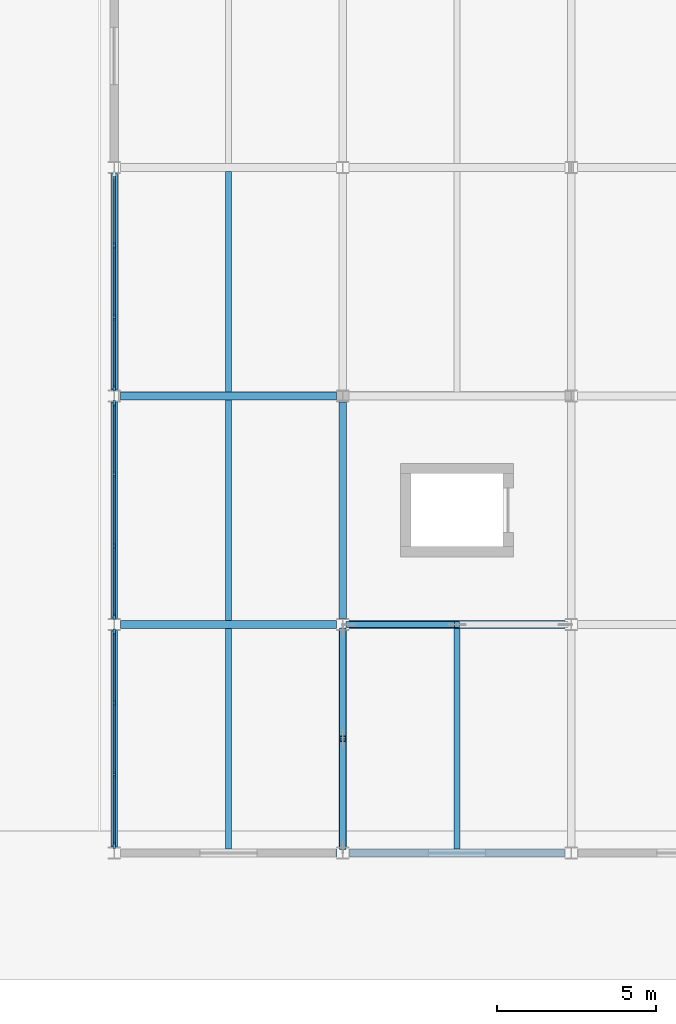
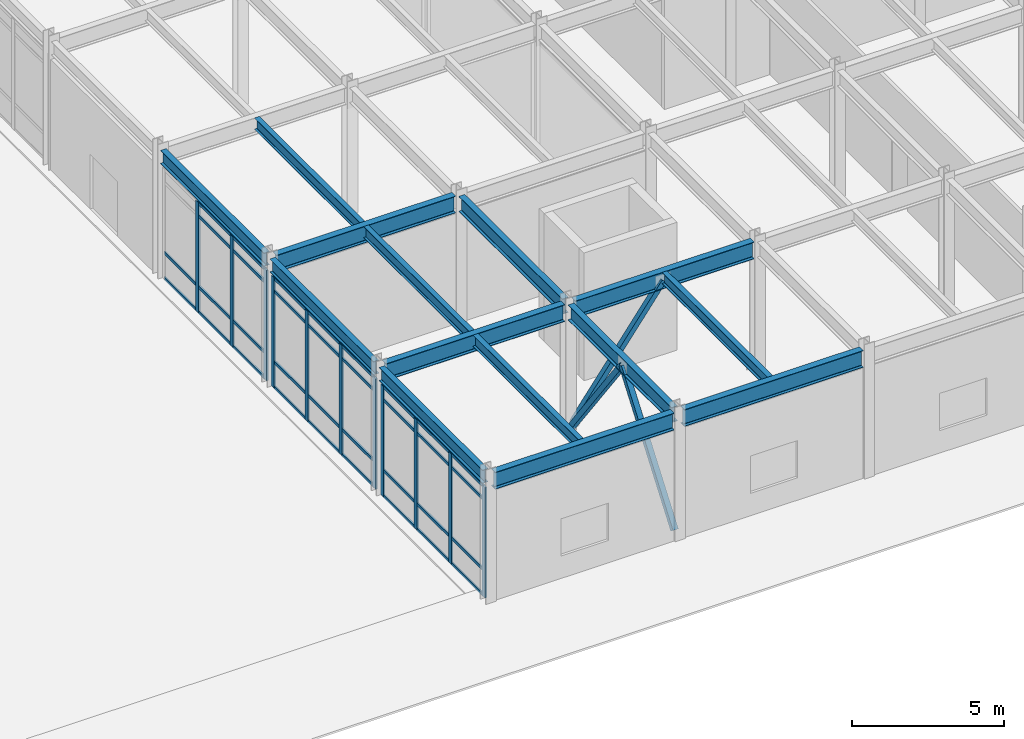
# One storey, part 41 of 104: 48 members, 14 beams, 3 elements without a shape of their own.
"""IFC4 building model written with IfcOpenShell, lengths in metres."""

from ifc_helpers import new_model, si_unit, direction, frame, origin, origin_2d, place, context, subcontext, project, spatial, rectangle, hollow_rectangle, i_section, extrude, material, material_profile, profile_set, type_object, element, aggregate, save


model = new_model("IFC4")

# Units and contexts
model_context = context("Model", 3, precision=1e-05, world=origin(), true_north=direction((0.0, 1.0)))
body_context = subcontext(model_context, "Body", "Model", "MODEL_VIEW")
ifc_project = project(units=[si_unit("LENGTHUNIT", "METRE"), si_unit("AREAUNIT", "SQUARE_METRE"), si_unit("VOLUMEUNIT", "CUBIC_METRE"), si_unit("PLANEANGLEUNIT", "RADIAN"), si_unit("MASSUNIT", "GRAM", prefix="KILO")], contexts=[model_context])

# Site, building, storey
site_placement = place(None, origin())
site = spatial("IfcSite", under=ifc_project, at=site_placement, CompositionType="ELEMENT")
building_placement = place(site_placement, origin())
building = spatial("IfcBuilding", under=site, at=building_placement, Name="Vaelcorin Mobility Hub", CompositionType="ELEMENT")
storey_placement = place(building_placement, origin())
storey = spatial("IfcBuildingStorey", under=building, at=storey_placement, Name="L00", CompositionType="ELEMENT", Elevation=0.0)

# Beams
ifc_material_1 = material(Name="Steel ASTM A992 Grade 50", Category="steel")
ifc_material_profile_1 = material_profile(ifc_material_1, i_section(OverallWidth=0.19091796875, OverallDepth=0.4599609375, WebThickness=0.010009765625, FlangeThickness=0.01611328125, FilletRadius=0.012939453125, at=origin_2d()), Name="W18X55")
ifc_profile_set_1 = profile_set([ifc_material_profile_1], Name="Steel ASTM A992 Grade 50")
beam_type_1 = type_object("IfcBeamType", Name="BM-W18X55", PredefinedType="JOIST", material=ifc_profile_set_1)
for number, where, z_axis, x_axis, name in (
    (1, (157.199951171875, 6.125, 4.909912109375), (0.0, 1.0, 0.0), (-1.0, 0.0, 0.0), "L00 Beam V5-L00-J-01-01-1"),
    (2, (157.199951171875, 13.324951171875, 4.909912109375), (0.0, 1.0, 0.0), (-1.0, 0.0, 0.0), "L00 Beam V5-L00-J-01-02-1"),
):
    element("IfcBeam", number, at=place(storey_placement, frame(where, z_axis=z_axis, x_axis=x_axis)), inside=storey, type_object=beam_type_1, Name=name, PredefinedType="JOIST", context=body_context, shape_type="SweptSolid", body=[
        extrude(i_section(OverallWidth=0.19091796875, OverallDepth=0.4599609375, WebThickness=0.010009765625, FlangeThickness=0.01611328125, FilletRadius=0.012939453125, at=origin_2d()), origin(), (0.0, 0.0, 1.0), 6.949951171875),
    ])
beam_1_placement = place(storey_placement, frame((157.199951171875, 20.52490234375, 4.909912109375), z_axis=(0.0, 1.0, 0.0), x_axis=(-1.0, 0.0, 0.0)))
element("IfcBeam", 3, at=beam_1_placement, inside=storey, type_object=beam_type_1, Name="L00 Beam V5-L00-J-01-03-1", PredefinedType="JOIST", context=body_context, shape_type="SweptSolid", body=[
    extrude(i_section(OverallWidth=0.19091796875, OverallDepth=0.4599609375, WebThickness=0.010009765625, FlangeThickness=0.01611328125, FilletRadius=0.012939453125, at=origin_2d()), origin(), (0.0, 0.0, 1.0), 6.9501953125),
])
beam_2_placement = place(storey_placement, frame((164.39990234375, 6.125, 4.909912109375), z_axis=(0.0, 1.0, 0.0), x_axis=(-1.0, 0.0, 0.0)))
element("IfcBeam", 4, at=beam_2_placement, inside=storey, type_object=beam_type_1, Name="L00 Beam V5-L00-J-02-01-1", PredefinedType="JOIST", context=body_context, shape_type="SweptSolid", body=[
    extrude(i_section(OverallWidth=0.19091796875, OverallDepth=0.4599609375, WebThickness=0.010009765625, FlangeThickness=0.01611328125, FilletRadius=0.012939453125, at=origin_2d()), origin(), (0.0, 0.0, 1.0), 6.949951171875),
])
ifc_material_profile_2 = material_profile(ifc_material_1, i_section(OverallWidth=0.2099609375, OverallDepth=0.535888671875, WebThickness=0.010986328125, FlangeThickness=0.017333984375, FilletRadius=0.013916015625, at=origin_2d()), Name="W21X68")
ifc_profile_set_2 = profile_set([ifc_material_profile_2], Name="Steel ASTM A992 Grade 50")
beam_type_2 = type_object("IfcBeamType", Name="BM-W21X68", PredefinedType="SPANDREL", material=ifc_profile_set_2)
beam_3_placement = place(storey_placement, frame((153.60009765625, 6.18798828125, 4.8720703125), z_axis=(0.0, 1.0, 0.0), x_axis=(-1.0, 0.0, 0.0)))
element("IfcBeam", 5, at=beam_3_placement, inside=storey, type_object=beam_type_2, Name="L00 Beam V5-L00-GY-01-01", PredefinedType="SPANDREL", context=body_context, shape_type="SweptSolid", body=[
    extrude(i_section(OverallWidth=0.2099609375, OverallDepth=0.535888671875, WebThickness=0.010986328125, FlangeThickness=0.017333984375, FilletRadius=0.013916015625, at=origin_2d()), origin(), (0.0, 0.0, 1.0), 6.823974609375),
])
beam_4_placement = place(storey_placement, frame((153.60009765625, 13.387939453125, 4.8720703125), z_axis=(0.0, 1.0, 0.0), x_axis=(-1.0, 0.0, 0.0)))
element("IfcBeam", 6, at=beam_4_placement, inside=storey, type_object=beam_type_2, Name="L00 Beam V5-L00-GY-01-02", PredefinedType="SPANDREL", context=body_context, shape_type="SweptSolid", body=[
    extrude(i_section(OverallWidth=0.2099609375, OverallDepth=0.535888671875, WebThickness=0.010986328125, FlangeThickness=0.017333984375, FilletRadius=0.013916015625, at=origin_2d()), origin(), (0.0, 0.0, 1.0), 6.822998046875),
])
beam_5_placement = place(storey_placement, frame((153.60009765625, 20.587890625, 4.8720703125), z_axis=(0.0, 1.0, 0.0), x_axis=(-1.0, 0.0, 0.0)))
element("IfcBeam", 7, at=beam_5_placement, inside=storey, type_object=beam_type_2, Name="L00 Beam V5-L00-GY-01-03", PredefinedType="SPANDREL", context=body_context, shape_type="SweptSolid", body=[
    extrude(i_section(OverallWidth=0.2099609375, OverallDepth=0.535888671875, WebThickness=0.010986328125, FlangeThickness=0.017333984375, FilletRadius=0.013916015625, at=origin_2d()), origin(), (0.0, 0.0, 1.0), 6.82421875),
])
ifc_material_profile_3 = material_profile(ifc_material_1, i_section(OverallWidth=0.22900390625, OverallDepth=0.612060546875, WebThickness=0.011962890625, FlangeThickness=0.01953125, FilletRadius=0.014892578125, at=origin_2d()), Name="W24X84")
ifc_profile_set_3 = profile_set([ifc_material_profile_3], Name="Steel ASTM A992 Grade 50")
beam_type_3 = type_object("IfcBeamType", Name="BM-W24X84", PredefinedType="BEAM", material=ifc_profile_set_3)
beam_6_placement = place(storey_placement, frame((160.800048828125, 6.18798828125, 4.833984375), z_axis=(0.0, 1.0, 0.0), x_axis=(-1.0, 0.0, 0.0)))
element("IfcBeam", 8, at=beam_6_placement, inside=storey, type_object=beam_type_3, Name="L00 Beam V5-L00-GY-02-01", PredefinedType="BEAM", context=body_context, shape_type="SweptSolid", body=[
    extrude(i_section(OverallWidth=0.22900390625, OverallDepth=0.612060546875, WebThickness=0.011962890625, FlangeThickness=0.01953125, FilletRadius=0.014892578125, at=origin_2d()), origin(), (0.0, 0.0, 1.0), 6.823974609375),
])
beam_7_placement = place(storey_placement, frame((160.800048828125, 13.387939453125, 4.833984375), z_axis=(0.0, 1.0, 0.0), x_axis=(-1.0, 0.0, 0.0)))
element("IfcBeam", 9, at=beam_7_placement, inside=storey, type_object=beam_type_3, Name="L00 Beam V5-L00-GY-02-02", PredefinedType="BEAM", context=body_context, shape_type="SweptSolid", body=[
    extrude(i_section(OverallWidth=0.22900390625, OverallDepth=0.612060546875, WebThickness=0.011962890625, FlangeThickness=0.01953125, FilletRadius=0.014892578125, at=origin_2d()), origin(), (0.0, 0.0, 1.0), 6.822998046875),
])
ifc_material_profile_4 = material_profile(ifc_material_1, i_section(OverallWidth=0.25390625, OverallDepth=0.68310546875, WebThickness=0.012451171875, FlangeThickness=0.018798828125, FilletRadius=0.01611328125, at=origin_2d()), Name="W27X94")
ifc_profile_set_4 = profile_set([ifc_material_profile_4], Name="Steel ASTM A992 Grade 50")
beam_type_4 = type_object("IfcBeamType", Name="BM-W27X94", PredefinedType="BEAM", material=ifc_profile_set_4)
beam_8_placement = place(storey_placement, frame((153.7958984375, 6.0, 4.798095703125), z_axis=(1.0, 0.0, 0.0), x_axis=(0.0, 1.0, 0.0)))
element("IfcBeam", 10, at=beam_8_placement, inside=storey, type_object=beam_type_4, Name="L00 Beam V5-L00-GX-01-01", PredefinedType="BEAM", context=body_context, shape_type="SweptSolid", body=[
    extrude(i_section(OverallWidth=0.25390625, OverallDepth=0.68310546875, WebThickness=0.012451171875, FlangeThickness=0.018798828125, FilletRadius=0.01611328125, at=origin_2d()), origin(), (0.0, 0.0, 1.0), 6.80810546875),
])
beam_9_placement = place(storey_placement, frame((160.99609375, 6.0, 4.798095703125), z_axis=(1.0, 0.0, 0.0), x_axis=(0.0, 1.0, 0.0)))
element("IfcBeam", 11, at=beam_9_placement, inside=storey, type_object=beam_type_4, Name="L00 Beam V5-L00-GX-01-02", PredefinedType="BEAM", context=body_context, shape_type="SweptSolid", body=[
    extrude(i_section(OverallWidth=0.25390625, OverallDepth=0.68310546875, WebThickness=0.012451171875, FlangeThickness=0.018798828125, FilletRadius=0.01611328125, at=origin_2d()), origin(), (0.0, 0.0, 1.0), 6.807861328125),
])
beam_10_placement = place(storey_placement, frame((153.7958984375, 13.199951171875, 4.798095703125), z_axis=(1.0, 0.0, 0.0), x_axis=(0.0, 1.0, 0.0)))
element("IfcBeam", 12, at=beam_10_placement, inside=storey, type_object=beam_type_4, Name="L00 Beam V5-L00-GX-02-01", PredefinedType="BEAM", context=body_context, shape_type="SweptSolid", body=[
    extrude(i_section(OverallWidth=0.25390625, OverallDepth=0.68310546875, WebThickness=0.012451171875, FlangeThickness=0.018798828125, FilletRadius=0.01611328125, at=origin_2d()), origin(), (0.0, 0.0, 1.0), 6.80810546875),
])
beam_11_placement = place(storey_placement, frame((160.99609375, 13.199951171875, 4.798095703125), z_axis=(1.0, 0.0, 0.0), x_axis=(0.0, 1.0, 0.0)))
element("IfcBeam", 13, at=beam_11_placement, inside=storey, type_object=beam_type_4, Name="L00 Beam V5-L00-GX-02-02", PredefinedType="BEAM", context=body_context, shape_type="SweptSolid", body=[
    extrude(i_section(OverallWidth=0.25390625, OverallDepth=0.68310546875, WebThickness=0.012451171875, FlangeThickness=0.018798828125, FilletRadius=0.01611328125, at=origin_2d()), origin(), (0.0, 0.0, 1.0), 6.807861328125),
])
beam_12_placement = place(storey_placement, frame((153.7958984375, 20.39990234375, 4.798095703125), z_axis=(1.0, 0.0, 0.0), x_axis=(0.0, 1.0, 0.0)))
element("IfcBeam", 14, at=beam_12_placement, inside=storey, type_object=beam_type_4, Name="L00 Beam V5-L00-GX-03-01", PredefinedType="BEAM", context=body_context, shape_type="SweptSolid", body=[
    extrude(i_section(OverallWidth=0.25390625, OverallDepth=0.68310546875, WebThickness=0.012451171875, FlangeThickness=0.018798828125, FilletRadius=0.01611328125, at=origin_2d()), origin(), (0.0, 0.0, 1.0), 6.80810546875),
])

# Members
ifc_material_2 = material(Name="Steel ASTM A500 Grade C", Category="steel")
ifc_material_profile_5 = material_profile(ifc_material_2, hollow_rectangle(XDim=0.203125, YDim=0.203125, WallThickness=0.01171875, at=origin_2d()), Name="HSS8X8X0.500")
ifc_profile_set_5 = profile_set([ifc_material_profile_5], Name="Steel ASTM A500 Grade C")
member_type_1 = type_object("IfcMemberType", Name="BR-SCBF-8X8", PredefinedType="BRACE", material=ifc_profile_set_5)
member_1_placement = place(storey_placement, frame((160.989990234375, 13.199951171875, 0.179931640625), z_axis=(0.598018326756, 0.0, 0.801482427046), x_axis=(0.0, 1.0, 0.0)))
element("IfcMember", 15, at=member_1_placement, inside=storey, type_object=member_type_1, Name="SCBF Chevron Brace V5-BX1-L00-A", PredefinedType="BRACE", context=body_context, shape_type="SweptSolid", body=[
    extrude(hollow_rectangle(XDim=0.203125, YDim=0.203125, WallThickness=0.01171875, at=origin_2d()), origin(), (0.0, 0.0, 1.0), 5.701904296875),
])
member_2_placement = place(storey_placement, frame((160.800048828125, 6.18994140625, 0.179931640625), z_axis=(0.0, 0.598045829922, 0.801461905091), x_axis=(-1.0, 0.0, 0.0)))
element("IfcMember", 16, at=member_2_placement, inside=storey, type_object=member_type_1, Name="SCBF Chevron Brace V5-BY1-L00-A", PredefinedType="BRACE", context=body_context, shape_type="SweptSolid", body=[
    extrude(hollow_rectangle(XDim=0.203125, YDim=0.203125, WallThickness=0.01171875, at=origin_2d()), origin(), (0.0, 0.0, 1.0), 5.7021484375),
])
member_3_placement = place(storey_placement, frame((160.800048828125, 13.010009765625, 0.179931640625), z_axis=(0.0, -0.598018326756, 0.801482427046), x_axis=(1.0, 0.0, 0.0)))
element("IfcMember", 17, at=member_3_placement, inside=storey, type_object=member_type_1, Name="SCBF Chevron Brace V5-BY1-L00-B", PredefinedType="BRACE", context=body_context, shape_type="SweptSolid", body=[
    extrude(hollow_rectangle(XDim=0.203125, YDim=0.203125, WallThickness=0.01171875, at=origin_2d()), origin(), (0.0, 0.0, 1.0), 5.701904296875),
])

# Curtain wall, members
ifc_material_3 = material(Name="Anodised aluminium 6063-T6", Category="aluminium")
curtain_wall_type = type_object("IfcCurtainWallType", Name="CW-MOB-A", PredefinedType="NOTDEFINED", material=ifc_material_3)
curtain_wall_1_placement = place(storey_placement, origin())
curtain_wall_1 = element("IfcCurtainWall", 18, at=curtain_wall_1_placement, inside=storey, type_object=curtain_wall_type, Name="L00 Curtain Wall CW-V5-L00-WS-01", PredefinedType="NOTDEFINED")
ifc_material_profile_6 = material_profile(ifc_material_3, rectangle(XDim=0.070068359375, YDim=0.199951171875, at=origin_2d()), Name="ALU-M70X200")
ifc_profile_set_6 = profile_set([ifc_material_profile_6], Name="Anodised aluminium 6063-T6")
member_type_2 = type_object("IfcMemberType", Name="CW-MULL-200", PredefinedType="MULLION", material=ifc_profile_set_6)
member_4_placement = place(storey_placement, frame((153.60009765625, 6.25, 0.0), z_axis=(0.0, 0.0, 1.0), x_axis=(-1.0, 0.0, 0.0)))
member_4 = element("IfcMember", 19, at=member_4_placement, type_object=member_type_2, Name="CW7 mullion 1", PredefinedType="MULLION", context=body_context, shape_type="SweptSolid", body=[
    extrude(rectangle(XDim=0.070068359375, YDim=0.199951171875, at=origin_2d()), origin(), (0.0, 0.0, 1.0), 4.44189453125),
])
member_5_placement = place(storey_placement, frame((153.60009765625, 8.473388671875, 0.0), z_axis=(0.0, 0.0, 1.0), x_axis=(-1.0, 0.0, 0.0)))
member_5 = element("IfcMember", 20, at=member_5_placement, type_object=member_type_2, Name="CW7 mullion 2", PredefinedType="MULLION", context=body_context, shape_type="SweptSolid", body=[
    extrude(rectangle(XDim=0.070068359375, YDim=0.199951171875, at=origin_2d()), origin(), (0.0, 0.0, 1.0), 4.44189453125),
])
member_6_placement = place(storey_placement, frame((153.60009765625, 10.7265625, 0.0), z_axis=(0.0, 0.0, 1.0), x_axis=(-1.0, 0.0, 0.0)))
member_6 = element("IfcMember", 21, at=member_6_placement, type_object=member_type_2, Name="CW7 mullion 3", PredefinedType="MULLION", context=body_context, shape_type="SweptSolid", body=[
    extrude(rectangle(XDim=0.070068359375, YDim=0.199951171875, at=origin_2d()), origin(), (0.0, 0.0, 1.0), 4.44189453125),
])
member_7_placement = place(storey_placement, frame((153.60009765625, 12.949951171875, 0.0), z_axis=(0.0, 0.0, 1.0), x_axis=(-1.0, 0.0, 0.0)))
member_7 = element("IfcMember", 22, at=member_7_placement, type_object=member_type_2, Name="CW7 mullion 4", PredefinedType="MULLION", context=body_context, shape_type="SweptSolid", body=[
    extrude(rectangle(XDim=0.070068359375, YDim=0.199951171875, at=origin_2d()), origin(), (0.0, 0.0, 1.0), 4.44189453125),
])

curtain_wall_2_placement = place(storey_placement, origin())
curtain_wall_2 = element("IfcCurtainWall", 23, at=curtain_wall_2_placement, inside=storey, type_object=curtain_wall_type, Name="L00 Curtain Wall CW-V5-L00-WS-02", PredefinedType="NOTDEFINED")
member_8_placement = place(storey_placement, frame((153.60009765625, 13.449951171875, 0.0), z_axis=(0.0, 0.0, 1.0), x_axis=(-1.0, 0.0, 0.0)))
member_8 = element("IfcMember", 24, at=member_8_placement, type_object=member_type_2, Name="CW7 mullion 1", PredefinedType="MULLION", context=body_context, shape_type="SweptSolid", body=[
    extrude(rectangle(XDim=0.070068359375, YDim=0.199951171875, at=origin_2d()), origin(), (0.0, 0.0, 1.0), 4.44189453125),
])
member_9_placement = place(storey_placement, frame((153.60009765625, 15.67333984375, 0.0), z_axis=(0.0, 0.0, 1.0), x_axis=(-1.0, 0.0, 0.0)))
member_9 = element("IfcMember", 25, at=member_9_placement, type_object=member_type_2, Name="CW7 mullion 2", PredefinedType="MULLION", context=body_context, shape_type="SweptSolid", body=[
    extrude(rectangle(XDim=0.070068359375, YDim=0.199951171875, at=origin_2d()), origin(), (0.0, 0.0, 1.0), 4.44189453125),
])
member_10_placement = place(storey_placement, frame((153.60009765625, 17.9267578125, 0.0), z_axis=(0.0, 0.0, 1.0), x_axis=(-1.0, 0.0, 0.0)))
member_10 = element("IfcMember", 26, at=member_10_placement, type_object=member_type_2, Name="CW7 mullion 3", PredefinedType="MULLION", context=body_context, shape_type="SweptSolid", body=[
    extrude(rectangle(XDim=0.070068359375, YDim=0.199951171875, at=origin_2d()), origin(), (0.0, 0.0, 1.0), 4.44189453125),
])
member_11_placement = place(storey_placement, frame((153.60009765625, 20.14990234375, 0.0), z_axis=(0.0, 0.0, 1.0), x_axis=(-1.0, 0.0, 0.0)))
member_11 = element("IfcMember", 27, at=member_11_placement, type_object=member_type_2, Name="CW7 mullion 4", PredefinedType="MULLION", context=body_context, shape_type="SweptSolid", body=[
    extrude(rectangle(XDim=0.070068359375, YDim=0.199951171875, at=origin_2d()), origin(), (0.0, 0.0, 1.0), 4.44189453125),
])

curtain_wall_3_placement = place(storey_placement, origin())
curtain_wall_3 = element("IfcCurtainWall", 28, at=curtain_wall_3_placement, inside=storey, type_object=curtain_wall_type, Name="L00 Curtain Wall CW-V5-L00-WS-03", PredefinedType="NOTDEFINED")
member_12_placement = place(storey_placement, frame((153.60009765625, 20.64990234375, 0.0), z_axis=(0.0, 0.0, 1.0), x_axis=(-1.0, 0.0, 0.0)))
member_12 = element("IfcMember", 29, at=member_12_placement, type_object=member_type_2, Name="CW7 mullion 1", PredefinedType="MULLION", context=body_context, shape_type="SweptSolid", body=[
    extrude(rectangle(XDim=0.070068359375, YDim=0.199951171875, at=origin_2d()), origin(), (0.0, 0.0, 1.0), 4.44189453125),
])
member_13_placement = place(storey_placement, frame((153.60009765625, 22.873291015625, 0.0), z_axis=(0.0, 0.0, 1.0), x_axis=(-1.0, 0.0, 0.0)))
member_13 = element("IfcMember", 30, at=member_13_placement, type_object=member_type_2, Name="CW7 mullion 2", PredefinedType="MULLION", context=body_context, shape_type="SweptSolid", body=[
    extrude(rectangle(XDim=0.070068359375, YDim=0.199951171875, at=origin_2d()), origin(), (0.0, 0.0, 1.0), 4.44189453125),
])
member_14_placement = place(storey_placement, frame((153.60009765625, 25.126708984375, 0.0), z_axis=(0.0, 0.0, 1.0), x_axis=(-1.0, 0.0, 0.0)))
member_14 = element("IfcMember", 31, at=member_14_placement, type_object=member_type_2, Name="CW7 mullion 3", PredefinedType="MULLION", context=body_context, shape_type="SweptSolid", body=[
    extrude(rectangle(XDim=0.070068359375, YDim=0.199951171875, at=origin_2d()), origin(), (0.0, 0.0, 1.0), 4.44189453125),
])

# Member
ifc_material_profile_7 = material_profile(ifc_material_3, rectangle(XDim=0.06005859375, YDim=0.1201171875, at=origin_2d()), Name="ALU-T60X120")
ifc_profile_set_7 = profile_set([ifc_material_profile_7], Name="Anodised aluminium 6063-T6")
member_type_3 = type_object("IfcMemberType", Name="CW-TRAN-140", PredefinedType="USERDEFINED", material=ifc_profile_set_7)
member_15_placement = place(storey_placement, frame((153.60009765625, 6.280029296875, 0.030029296875), z_axis=(0.0, 1.0, 0.0), x_axis=(-1.0, 0.0, 0.0)))
member_15 = element("IfcMember", 32, at=member_15_placement, type_object=member_type_3, Name="CW7 transom 1.1", ObjectType="TRANSOM", PredefinedType="USERDEFINED", context=body_context, shape_type="SweptSolid", body=[
    extrude(rectangle(XDim=0.06005859375, YDim=0.1201171875, at=origin_2d()), origin(), (0.0, 0.0, 1.0), 2.163330078125),
])

member_16_placement = place(storey_placement, frame((153.60009765625, 6.280029296875, 1.050048828125), z_axis=(0.0, 1.0, 0.0), x_axis=(-1.0, 0.0, 0.0)))
member_16 = element("IfcMember", 33, at=member_16_placement, type_object=member_type_3, Name="CW7 transom 1.2", ObjectType="TRANSOM", PredefinedType="USERDEFINED", context=body_context, shape_type="SweptSolid", body=[
    extrude(rectangle(XDim=0.06005859375, YDim=0.1201171875, at=origin_2d()), origin(), (0.0, 0.0, 1.0), 2.163330078125),
])

member_17_placement = place(storey_placement, frame((153.60009765625, 6.280029296875, 3.89208984375), z_axis=(0.0, 1.0, 0.0), x_axis=(-1.0, 0.0, 0.0)))
member_17 = element("IfcMember", 34, at=member_17_placement, type_object=member_type_3, Name="CW7 transom 1.3", ObjectType="TRANSOM", PredefinedType="USERDEFINED", context=body_context, shape_type="SweptSolid", body=[
    extrude(rectangle(XDim=0.06005859375, YDim=0.1201171875, at=origin_2d()), origin(), (0.0, 0.0, 1.0), 2.163330078125),
])

member_18_placement = place(storey_placement, frame((153.60009765625, 6.280029296875, 4.412109375), z_axis=(0.0, 1.0, 0.0), x_axis=(-1.0, 0.0, 0.0)))
member_18 = element("IfcMember", 35, at=member_18_placement, type_object=member_type_3, Name="CW7 transom 1.4", ObjectType="TRANSOM", PredefinedType="USERDEFINED", context=body_context, shape_type="SweptSolid", body=[
    extrude(rectangle(XDim=0.06005859375, YDim=0.1201171875, at=origin_2d()), origin(), (0.0, 0.0, 1.0), 2.163330078125),
])

member_19_placement = place(storey_placement, frame((153.60009765625, 8.50341796875, 0.030029296875), z_axis=(0.0, 1.0, 0.0), x_axis=(-1.0, 0.0, 0.0)))
member_19 = element("IfcMember", 36, at=member_19_placement, type_object=member_type_3, Name="CW7 transom 2.1", ObjectType="TRANSOM", PredefinedType="USERDEFINED", context=body_context, shape_type="SweptSolid", body=[
    extrude(rectangle(XDim=0.06005859375, YDim=0.1201171875, at=origin_2d()), origin(), (0.0, 0.0, 1.0), 2.193359375),
])

member_20_placement = place(storey_placement, frame((153.60009765625, 8.50341796875, 1.050048828125), z_axis=(0.0, 1.0, 0.0), x_axis=(-1.0, 0.0, 0.0)))
member_20 = element("IfcMember", 37, at=member_20_placement, type_object=member_type_3, Name="CW7 transom 2.2", ObjectType="TRANSOM", PredefinedType="USERDEFINED", context=body_context, shape_type="SweptSolid", body=[
    extrude(rectangle(XDim=0.06005859375, YDim=0.1201171875, at=origin_2d()), origin(), (0.0, 0.0, 1.0), 2.193359375),
])

member_21_placement = place(storey_placement, frame((153.60009765625, 8.50341796875, 3.89208984375), z_axis=(0.0, 1.0, 0.0), x_axis=(-1.0, 0.0, 0.0)))
member_21 = element("IfcMember", 38, at=member_21_placement, type_object=member_type_3, Name="CW7 transom 2.3", ObjectType="TRANSOM", PredefinedType="USERDEFINED", context=body_context, shape_type="SweptSolid", body=[
    extrude(rectangle(XDim=0.06005859375, YDim=0.1201171875, at=origin_2d()), origin(), (0.0, 0.0, 1.0), 2.193359375),
])

member_22_placement = place(storey_placement, frame((153.60009765625, 8.50341796875, 4.412109375), z_axis=(0.0, 1.0, 0.0), x_axis=(-1.0, 0.0, 0.0)))
member_22 = element("IfcMember", 39, at=member_22_placement, type_object=member_type_3, Name="CW7 transom 2.4", ObjectType="TRANSOM", PredefinedType="USERDEFINED", context=body_context, shape_type="SweptSolid", body=[
    extrude(rectangle(XDim=0.06005859375, YDim=0.1201171875, at=origin_2d()), origin(), (0.0, 0.0, 1.0), 2.193359375),
])

member_23_placement = place(storey_placement, frame((153.60009765625, 10.756591796875, 0.030029296875), z_axis=(0.0, 1.0, 0.0), x_axis=(-1.0, 0.0, 0.0)))
member_23 = element("IfcMember", 40, at=member_23_placement, type_object=member_type_3, Name="CW7 transom 3.1", ObjectType="TRANSOM", PredefinedType="USERDEFINED", context=body_context, shape_type="SweptSolid", body=[
    extrude(rectangle(XDim=0.06005859375, YDim=0.1201171875, at=origin_2d()), origin(), (0.0, 0.0, 1.0), 2.163330078125),
])

member_24_placement = place(storey_placement, frame((153.60009765625, 10.756591796875, 1.050048828125), z_axis=(0.0, 1.0, 0.0), x_axis=(-1.0, 0.0, 0.0)))
member_24 = element("IfcMember", 41, at=member_24_placement, type_object=member_type_3, Name="CW7 transom 3.2", ObjectType="TRANSOM", PredefinedType="USERDEFINED", context=body_context, shape_type="SweptSolid", body=[
    extrude(rectangle(XDim=0.06005859375, YDim=0.1201171875, at=origin_2d()), origin(), (0.0, 0.0, 1.0), 2.163330078125),
])

member_25_placement = place(storey_placement, frame((153.60009765625, 10.756591796875, 3.89208984375), z_axis=(0.0, 1.0, 0.0), x_axis=(-1.0, 0.0, 0.0)))
member_25 = element("IfcMember", 42, at=member_25_placement, type_object=member_type_3, Name="CW7 transom 3.3", ObjectType="TRANSOM", PredefinedType="USERDEFINED", context=body_context, shape_type="SweptSolid", body=[
    extrude(rectangle(XDim=0.06005859375, YDim=0.1201171875, at=origin_2d()), origin(), (0.0, 0.0, 1.0), 2.163330078125),
])

member_26_placement = place(storey_placement, frame((153.60009765625, 10.756591796875, 4.412109375), z_axis=(0.0, 1.0, 0.0), x_axis=(-1.0, 0.0, 0.0)))
member_26 = element("IfcMember", 43, at=member_26_placement, type_object=member_type_3, Name="CW7 transom 3.4", ObjectType="TRANSOM", PredefinedType="USERDEFINED", context=body_context, shape_type="SweptSolid", body=[
    extrude(rectangle(XDim=0.06005859375, YDim=0.1201171875, at=origin_2d()), origin(), (0.0, 0.0, 1.0), 2.163330078125),
])

aggregate(curtain_wall_1, [member_4, member_5, member_6, member_7, member_15, member_16, member_17, member_18, member_19, member_20, member_21, member_22, member_23, member_24, member_25, member_26])

member_27_placement = place(storey_placement, frame((153.60009765625, 13.47998046875, 0.030029296875), z_axis=(0.0, 1.0, 0.0), x_axis=(-1.0, 0.0, 0.0)))
member_27 = element("IfcMember", 44, at=member_27_placement, type_object=member_type_3, Name="CW7 transom 1.1", ObjectType="TRANSOM", PredefinedType="USERDEFINED", context=body_context, shape_type="SweptSolid", body=[
    extrude(rectangle(XDim=0.06005859375, YDim=0.1201171875, at=origin_2d()), origin(), (0.0, 0.0, 1.0), 2.163330078125),
])

member_28_placement = place(storey_placement, frame((153.60009765625, 13.47998046875, 1.050048828125), z_axis=(0.0, 1.0, 0.0), x_axis=(-1.0, 0.0, 0.0)))
member_28 = element("IfcMember", 45, at=member_28_placement, type_object=member_type_3, Name="CW7 transom 1.2", ObjectType="TRANSOM", PredefinedType="USERDEFINED", context=body_context, shape_type="SweptSolid", body=[
    extrude(rectangle(XDim=0.06005859375, YDim=0.1201171875, at=origin_2d()), origin(), (0.0, 0.0, 1.0), 2.163330078125),
])

member_29_placement = place(storey_placement, frame((153.60009765625, 13.47998046875, 3.89208984375), z_axis=(0.0, 1.0, 0.0), x_axis=(-1.0, 0.0, 0.0)))
member_29 = element("IfcMember", 46, at=member_29_placement, type_object=member_type_3, Name="CW7 transom 1.3", ObjectType="TRANSOM", PredefinedType="USERDEFINED", context=body_context, shape_type="SweptSolid", body=[
    extrude(rectangle(XDim=0.06005859375, YDim=0.1201171875, at=origin_2d()), origin(), (0.0, 0.0, 1.0), 2.163330078125),
])

member_30_placement = place(storey_placement, frame((153.60009765625, 13.47998046875, 4.412109375), z_axis=(0.0, 1.0, 0.0), x_axis=(-1.0, 0.0, 0.0)))
member_30 = element("IfcMember", 47, at=member_30_placement, type_object=member_type_3, Name="CW7 transom 1.4", ObjectType="TRANSOM", PredefinedType="USERDEFINED", context=body_context, shape_type="SweptSolid", body=[
    extrude(rectangle(XDim=0.06005859375, YDim=0.1201171875, at=origin_2d()), origin(), (0.0, 0.0, 1.0), 2.163330078125),
])

member_31_placement = place(storey_placement, frame((153.60009765625, 15.703369140625, 0.030029296875), z_axis=(0.0, 1.0, 0.0), x_axis=(-1.0, 0.0, 0.0)))
member_31 = element("IfcMember", 48, at=member_31_placement, type_object=member_type_3, Name="CW7 transom 2.1", ObjectType="TRANSOM", PredefinedType="USERDEFINED", context=body_context, shape_type="SweptSolid", body=[
    extrude(rectangle(XDim=0.06005859375, YDim=0.1201171875, at=origin_2d()), origin(), (0.0, 0.0, 1.0), 2.193359375),
])

member_32_placement = place(storey_placement, frame((153.60009765625, 15.703369140625, 1.050048828125), z_axis=(0.0, 1.0, 0.0), x_axis=(-1.0, 0.0, 0.0)))
member_32 = element("IfcMember", 49, at=member_32_placement, type_object=member_type_3, Name="CW7 transom 2.2", ObjectType="TRANSOM", PredefinedType="USERDEFINED", context=body_context, shape_type="SweptSolid", body=[
    extrude(rectangle(XDim=0.06005859375, YDim=0.1201171875, at=origin_2d()), origin(), (0.0, 0.0, 1.0), 2.193359375),
])

member_33_placement = place(storey_placement, frame((153.60009765625, 15.703369140625, 3.89208984375), z_axis=(0.0, 1.0, 0.0), x_axis=(-1.0, 0.0, 0.0)))
member_33 = element("IfcMember", 50, at=member_33_placement, type_object=member_type_3, Name="CW7 transom 2.3", ObjectType="TRANSOM", PredefinedType="USERDEFINED", context=body_context, shape_type="SweptSolid", body=[
    extrude(rectangle(XDim=0.06005859375, YDim=0.1201171875, at=origin_2d()), origin(), (0.0, 0.0, 1.0), 2.193359375),
])

member_34_placement = place(storey_placement, frame((153.60009765625, 15.703369140625, 4.412109375), z_axis=(0.0, 1.0, 0.0), x_axis=(-1.0, 0.0, 0.0)))
member_34 = element("IfcMember", 51, at=member_34_placement, type_object=member_type_3, Name="CW7 transom 2.4", ObjectType="TRANSOM", PredefinedType="USERDEFINED", context=body_context, shape_type="SweptSolid", body=[
    extrude(rectangle(XDim=0.06005859375, YDim=0.1201171875, at=origin_2d()), origin(), (0.0, 0.0, 1.0), 2.193359375),
])

member_35_placement = place(storey_placement, frame((153.60009765625, 17.956787109375, 0.030029296875), z_axis=(0.0, 1.0, 0.0), x_axis=(-1.0, 0.0, 0.0)))
member_35 = element("IfcMember", 52, at=member_35_placement, type_object=member_type_3, Name="CW7 transom 3.1", ObjectType="TRANSOM", PredefinedType="USERDEFINED", context=body_context, shape_type="SweptSolid", body=[
    extrude(rectangle(XDim=0.06005859375, YDim=0.1201171875, at=origin_2d()), origin(), (0.0, 0.0, 1.0), 2.163330078125),
])

member_36_placement = place(storey_placement, frame((153.60009765625, 17.956787109375, 1.050048828125), z_axis=(0.0, 1.0, 0.0), x_axis=(-1.0, 0.0, 0.0)))
member_36 = element("IfcMember", 53, at=member_36_placement, type_object=member_type_3, Name="CW7 transom 3.2", ObjectType="TRANSOM", PredefinedType="USERDEFINED", context=body_context, shape_type="SweptSolid", body=[
    extrude(rectangle(XDim=0.06005859375, YDim=0.1201171875, at=origin_2d()), origin(), (0.0, 0.0, 1.0), 2.163330078125),
])

member_37_placement = place(storey_placement, frame((153.60009765625, 17.956787109375, 3.89208984375), z_axis=(0.0, 1.0, 0.0), x_axis=(-1.0, 0.0, 0.0)))
member_37 = element("IfcMember", 54, at=member_37_placement, type_object=member_type_3, Name="CW7 transom 3.3", ObjectType="TRANSOM", PredefinedType="USERDEFINED", context=body_context, shape_type="SweptSolid", body=[
    extrude(rectangle(XDim=0.06005859375, YDim=0.1201171875, at=origin_2d()), origin(), (0.0, 0.0, 1.0), 2.163330078125),
])

member_38_placement = place(storey_placement, frame((153.60009765625, 17.956787109375, 4.412109375), z_axis=(0.0, 1.0, 0.0), x_axis=(-1.0, 0.0, 0.0)))
member_38 = element("IfcMember", 55, at=member_38_placement, type_object=member_type_3, Name="CW7 transom 3.4", ObjectType="TRANSOM", PredefinedType="USERDEFINED", context=body_context, shape_type="SweptSolid", body=[
    extrude(rectangle(XDim=0.06005859375, YDim=0.1201171875, at=origin_2d()), origin(), (0.0, 0.0, 1.0), 2.163330078125),
])

aggregate(curtain_wall_2, [member_8, member_9, member_10, member_11, member_27, member_28, member_29, member_30, member_31, member_32, member_33, member_34, member_35, member_36, member_37, member_38])

member_39_placement = place(storey_placement, frame((153.60009765625, 20.679931640625, 0.030029296875), z_axis=(0.0, 1.0, 0.0), x_axis=(-1.0, 0.0, 0.0)))
member_39 = element("IfcMember", 56, at=member_39_placement, type_object=member_type_3, Name="CW7 transom 1.1", ObjectType="TRANSOM", PredefinedType="USERDEFINED", context=body_context, shape_type="SweptSolid", body=[
    extrude(rectangle(XDim=0.06005859375, YDim=0.1201171875, at=origin_2d()), origin(), (0.0, 0.0, 1.0), 2.163330078125),
])

member_40_placement = place(storey_placement, frame((153.60009765625, 20.679931640625, 1.050048828125), z_axis=(0.0, 1.0, 0.0), x_axis=(-1.0, 0.0, 0.0)))
member_40 = element("IfcMember", 57, at=member_40_placement, type_object=member_type_3, Name="CW7 transom 1.2", ObjectType="TRANSOM", PredefinedType="USERDEFINED", context=body_context, shape_type="SweptSolid", body=[
    extrude(rectangle(XDim=0.06005859375, YDim=0.1201171875, at=origin_2d()), origin(), (0.0, 0.0, 1.0), 2.163330078125),
])

member_41_placement = place(storey_placement, frame((153.60009765625, 20.679931640625, 3.89208984375), z_axis=(0.0, 1.0, 0.0), x_axis=(-1.0, 0.0, 0.0)))
member_41 = element("IfcMember", 58, at=member_41_placement, type_object=member_type_3, Name="CW7 transom 1.3", ObjectType="TRANSOM", PredefinedType="USERDEFINED", context=body_context, shape_type="SweptSolid", body=[
    extrude(rectangle(XDim=0.06005859375, YDim=0.1201171875, at=origin_2d()), origin(), (0.0, 0.0, 1.0), 2.163330078125),
])

member_42_placement = place(storey_placement, frame((153.60009765625, 20.679931640625, 4.412109375), z_axis=(0.0, 1.0, 0.0), x_axis=(-1.0, 0.0, 0.0)))
member_42 = element("IfcMember", 59, at=member_42_placement, type_object=member_type_3, Name="CW7 transom 1.4", ObjectType="TRANSOM", PredefinedType="USERDEFINED", context=body_context, shape_type="SweptSolid", body=[
    extrude(rectangle(XDim=0.06005859375, YDim=0.1201171875, at=origin_2d()), origin(), (0.0, 0.0, 1.0), 2.163330078125),
])

member_43_placement = place(storey_placement, frame((153.60009765625, 22.9033203125, 0.030029296875), z_axis=(0.0, 1.0, 0.0), x_axis=(-1.0, 0.0, 0.0)))
member_43 = element("IfcMember", 60, at=member_43_placement, type_object=member_type_3, Name="CW7 transom 2.1", ObjectType="TRANSOM", PredefinedType="USERDEFINED", context=body_context, shape_type="SweptSolid", body=[
    extrude(rectangle(XDim=0.06005859375, YDim=0.1201171875, at=origin_2d()), origin(), (0.0, 0.0, 1.0), 2.193359375),
])

member_44_placement = place(storey_placement, frame((153.60009765625, 22.9033203125, 1.050048828125), z_axis=(0.0, 1.0, 0.0), x_axis=(-1.0, 0.0, 0.0)))
member_44 = element("IfcMember", 61, at=member_44_placement, type_object=member_type_3, Name="CW7 transom 2.2", ObjectType="TRANSOM", PredefinedType="USERDEFINED", context=body_context, shape_type="SweptSolid", body=[
    extrude(rectangle(XDim=0.06005859375, YDim=0.1201171875, at=origin_2d()), origin(), (0.0, 0.0, 1.0), 2.193359375),
])

member_45_placement = place(storey_placement, frame((153.60009765625, 22.9033203125, 3.89208984375), z_axis=(0.0, 1.0, 0.0), x_axis=(-1.0, 0.0, 0.0)))
member_45 = element("IfcMember", 62, at=member_45_placement, type_object=member_type_3, Name="CW7 transom 2.3", ObjectType="TRANSOM", PredefinedType="USERDEFINED", context=body_context, shape_type="SweptSolid", body=[
    extrude(rectangle(XDim=0.06005859375, YDim=0.1201171875, at=origin_2d()), origin(), (0.0, 0.0, 1.0), 2.193359375),
])

member_46_placement = place(storey_placement, frame((153.60009765625, 22.9033203125, 4.412109375), z_axis=(0.0, 1.0, 0.0), x_axis=(-1.0, 0.0, 0.0)))
member_46 = element("IfcMember", 63, at=member_46_placement, type_object=member_type_3, Name="CW7 transom 2.4", ObjectType="TRANSOM", PredefinedType="USERDEFINED", context=body_context, shape_type="SweptSolid", body=[
    extrude(rectangle(XDim=0.06005859375, YDim=0.1201171875, at=origin_2d()), origin(), (0.0, 0.0, 1.0), 2.193359375),
])

member_47_placement = place(storey_placement, frame((153.60009765625, 25.15673828125, 0.030029296875), z_axis=(0.0, 1.0, 0.0), x_axis=(-1.0, 0.0, 0.0)))
member_47 = element("IfcMember", 64, at=member_47_placement, type_object=member_type_3, Name="CW7 transom 3.1", ObjectType="TRANSOM", PredefinedType="USERDEFINED", context=body_context, shape_type="SweptSolid", body=[
    extrude(rectangle(XDim=0.06005859375, YDim=0.1201171875, at=origin_2d()), origin(), (0.0, 0.0, 1.0), 2.163330078125),
])

member_48_placement = place(storey_placement, frame((153.60009765625, 25.15673828125, 1.050048828125), z_axis=(0.0, 1.0, 0.0), x_axis=(-1.0, 0.0, 0.0)))
member_48 = element("IfcMember", 65, at=member_48_placement, type_object=member_type_3, Name="CW7 transom 3.2", ObjectType="TRANSOM", PredefinedType="USERDEFINED", context=body_context, shape_type="SweptSolid", body=[
    extrude(rectangle(XDim=0.06005859375, YDim=0.1201171875, at=origin_2d()), origin(), (0.0, 0.0, 1.0), 2.163330078125),
])

aggregate(curtain_wall_3, [member_12, member_13, member_14, member_39, member_40, member_41, member_42, member_43, member_44, member_45, member_46, member_47, member_48])

save(model, "model.ifc")
